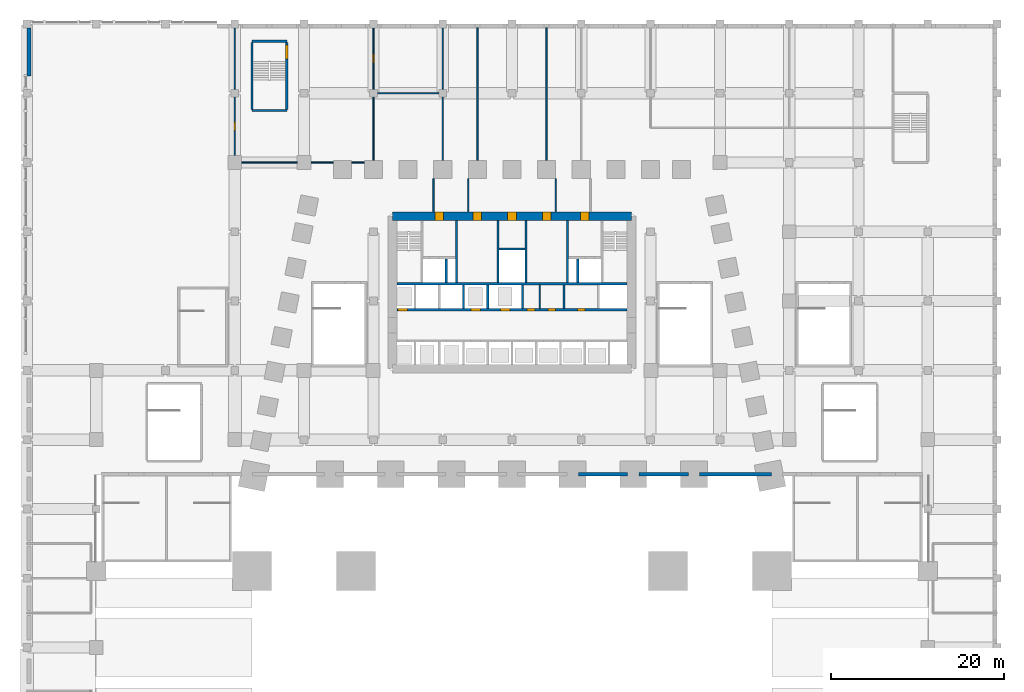
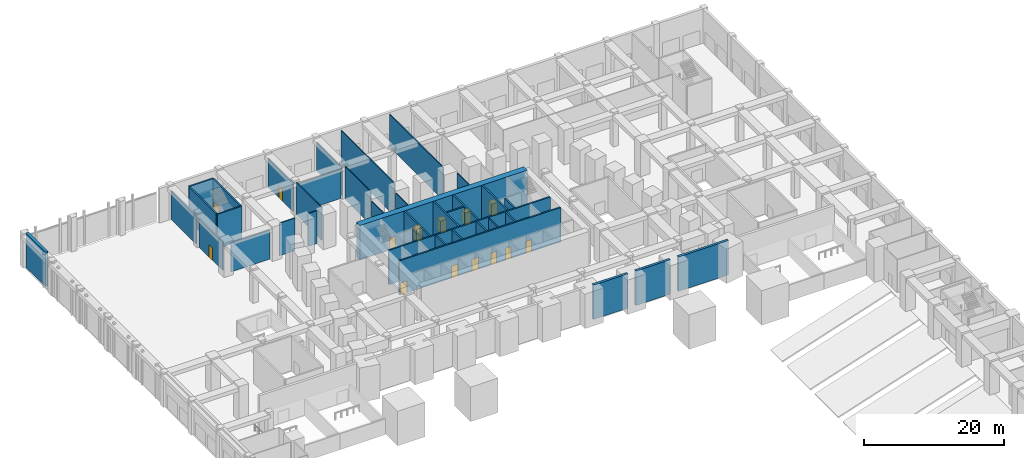
# One storey, part 13 of 28: 38 walls, 14 doors, 14 openings.
"""IFC4 building model written with IfcOpenShell, lengths in metres."""

from ifc_helpers import new_model, si_unit, direction, frame, frame_2d, origin, place, context, subcontext, project, spatial, rectangle, extrude, material, layer, layer_set, type_object, element, fill, save


model = new_model("IFC4")

# Units and contexts
model_context = context("Model", 3, precision=1e-05, world=origin(), true_north=direction((0.0, 1.0)))
body_context = subcontext(model_context, "Body", "Model", "MODEL_VIEW")
ifc_project = project(units=[si_unit("LENGTHUNIT", "METRE"), si_unit("AREAUNIT", "SQUARE_METRE"), si_unit("VOLUMEUNIT", "CUBIC_METRE"), si_unit("PLANEANGLEUNIT", "RADIAN"), si_unit("MASSUNIT", "GRAM", prefix="KILO")], contexts=[model_context])

# Site, building, storey
site_placement = place(None, origin())
site = spatial("IfcSite", under=ifc_project, at=site_placement, CompositionType="ELEMENT")
building_placement = place(site_placement, origin())
building = spatial("IfcBuilding", under=site, at=building_placement, Name="Isbrekke Arena Tower", CompositionType="ELEMENT")
storey_placement = place(building_placement, origin())
storey = spatial("IfcBuildingStorey", under=building, at=storey_placement, Name="L00", CompositionType="ELEMENT", Elevation=0.0)

# Walls
ifc_material_1 = material(Name="Concrete B45 (C45/55)", Category="concrete")
ifc_layer_1 = layer(ifc_material_1, 0.39990234375)
ifc_layer_set_1 = layer_set([ifc_layer_1], Name="AW1 ARENA WALL 400")
wall_type_1 = type_object("IfcWallType", Name="AW1 ARENA WALL 400", PredefinedType="SHEAR", material=ifc_layer_set_1)
for number, where, z_axis, x_axis, name in (
    (1, (7.64990234375, -6.0, 0.0), (0.0, 0.0, 1.0), (1.0, 0.0, 0.0), "Arena north wall 7"),
    (2, (14.64990234375, -6.0, 0.0), (0.0, 0.0, 1.0), (1.0, 0.0, 0.0), "Arena north wall 8"),
):
    element("IfcWall", number, at=place(storey_placement, frame(where, z_axis=z_axis, x_axis=x_axis)), inside=storey, type_object=wall_type_1, Name=name, PredefinedType="SHEAR", context=body_context, shape_type="SweptSolid", body=[
        extrude(rectangle(XDim=5.7001953125, YDim=0.39990234375, at=frame_2d((2.85009765625, 0.0))), origin(), (0.0, 0.0, 1.0), 6.0),
    ])
wall_1_placement = place(storey_placement, frame((21.64990234375, -6.0, 0.0), z_axis=(0.0, 0.0, 1.0), x_axis=(1.0, 0.0, 0.0)))
element("IfcWall", 3, at=wall_1_placement, inside=storey, type_object=wall_type_1, Name="Arena north wall 9", PredefinedType="SHEAR", context=body_context, shape_type="SweptSolid", body=[
    extrude(rectangle(XDim=8.300048828125, YDim=0.39990234375, at=frame_2d((4.14990234375, 0.0))), origin(), (0.0, 0.0, 1.0), 6.0),
])

# Wall, openings, doors
ifc_material_2 = material(Name="Concrete B65 (C65/80)", Category="concrete")
ifc_layer_2 = layer(ifc_material_2, 1.0)
ifc_layer_set_2 = layer_set([ifc_layer_2], Name="CW1 CORE WALL 1000")
wall_type_2 = type_object("IfcWallType", Name="CW1 CORE WALL 1000", PredefinedType="SHEAR", material=ifc_layer_set_2)
wall_2_placement = place(storey_placement, frame((13.800048828125, 23.800048828125, 0.0), z_axis=(0.0, 0.0, 1.0), x_axis=(-1.0, 0.0, 0.0)))
wall_2 = element("IfcWall", 4, at=wall_2_placement, inside=storey, type_object=wall_type_2, Name="Core wall N L00", PredefinedType="SHEAR", context=body_context, shape_type="SweptSolid", body=[
    extrude(rectangle(XDim=27.60009765625, YDim=1.0, at=frame_2d((13.800048828125, 0.0))), origin(), (0.0, 0.0, 1.0), 6.0),
])
opening_1_placement = place(wall_2_placement, frame((21.699951171875, 0.0, 0.0)))
opening_1 = element("IfcOpeningElement", 5, at=opening_1_placement, cuts=wall_2, Name="Opening D3", PredefinedType="OPENING", context=body_context, shape_type="SweptSolid", body=[
    extrude(rectangle(XDim=1.0, YDim=2.10009765625, at=frame_2d((0.5, 1.050048828125))), frame((0.0, 0.514892578125, 0.0), z_axis=(0.0, -1.0, 0.0), x_axis=(1.0, 0.0, 0.0)), (0.0, 0.0, 1.0), 1.02978515625),
])
opening_2_placement = place(wall_2_placement, frame((4.89990234375, 0.0, 0.0)))
opening_2 = element("IfcOpeningElement", 6, at=opening_2_placement, cuts=wall_2, Name="Opening D3", PredefinedType="OPENING", context=body_context, shape_type="SweptSolid", body=[
    extrude(rectangle(XDim=1.0, YDim=2.10009765625, at=frame_2d((0.5, 1.050048828125))), frame((0.0, 0.514892578125, 0.0), z_axis=(0.0, -1.0, 0.0), x_axis=(1.0, 0.0, 0.0)), (0.0, 0.0, 1.0), 1.02978515625),
])
opening_3_placement = place(wall_2_placement, frame((17.300048828125, 0.0, 0.0)))
opening_3 = element("IfcOpeningElement", 7, at=opening_3_placement, cuts=wall_2, Name="Opening D4", PredefinedType="OPENING", context=body_context, shape_type="SweptSolid", body=[
    extrude(rectangle(XDim=1.0, YDim=2.10009765625, at=frame_2d((0.5, 1.050048828125))), frame((0.0, 0.514892578125, 0.0), z_axis=(0.0, -1.0, 0.0), x_axis=(1.0, 0.0, 0.0)), (0.0, 0.0, 1.0), 1.02978515625),
])
opening_4_placement = place(wall_2_placement, frame((13.300048828125, 0.0, 0.0)))
opening_4 = element("IfcOpeningElement", 8, at=opening_4_placement, cuts=wall_2, Name="Opening D4", PredefinedType="OPENING", context=body_context, shape_type="SweptSolid", body=[
    extrude(rectangle(XDim=1.0, YDim=2.10009765625, at=frame_2d((0.5, 1.050048828125))), frame((0.0, 0.514892578125, 0.0), z_axis=(0.0, -1.0, 0.0), x_axis=(1.0, 0.0, 0.0)), (0.0, 0.0, 1.0), 1.02978515625),
])
opening_5_placement = place(wall_2_placement, frame((9.300048828125, 0.0, 0.0)))
opening_5 = element("IfcOpeningElement", 9, at=opening_5_placement, cuts=wall_2, Name="Opening D4", PredefinedType="OPENING", context=body_context, shape_type="SweptSolid", body=[
    extrude(rectangle(XDim=1.0, YDim=2.10009765625, at=frame_2d((0.5, 1.050048828125))), frame((0.0, 0.514892578125, 0.0), z_axis=(0.0, -1.0, 0.0), x_axis=(1.0, 0.0, 0.0)), (0.0, 0.0, 1.0), 1.02978515625),
])
ifc_material_3 = material(Name="Steel fire door", Category="steel")
door_type_1 = type_object("IfcDoorType", Name="D3 FIRE LOBBY DOOR 1000 x 2100", OperationType="SINGLE_SWING_RIGHT", PredefinedType="DOOR", material=ifc_material_3)
door_1_placement = place(opening_1_placement, origin())
door_1 = element("IfcDoor", 10, at=door_1_placement, inside=storey, type_object=door_type_1, Name="D3 fire-fighting lobby door L00", OperationType="SINGLE_SWING_RIGHT", OverallHeight=2.10009765625, OverallWidth=1.0, PredefinedType="DOOR", context=body_context, shape_type="SweptSolid", body=[
    extrude(rectangle(XDim=1.0, YDim=2.10009765625, at=frame_2d((0.5, 1.050048828125))), frame((0.0, 0.499755859375, 0.0), z_axis=(0.0, -1.0, 0.0), x_axis=(1.0, 0.0, 0.0)), (0.0, 0.0, 1.0), 0.99951171875),
])
fill(opening_1, door_1)
door_2_placement = place(opening_2_placement, origin())
door_2 = element("IfcDoor", 11, at=door_2_placement, inside=storey, type_object=door_type_1, Name="D3 fire-fighting lobby door L00", OperationType="SINGLE_SWING_RIGHT", OverallHeight=2.10009765625, OverallWidth=1.0, PredefinedType="DOOR", context=body_context, shape_type="SweptSolid", body=[
    extrude(rectangle(XDim=1.0, YDim=2.10009765625, at=frame_2d((0.5, 1.050048828125))), frame((0.0, 0.499755859375, 0.0), z_axis=(0.0, -1.0, 0.0), x_axis=(1.0, 0.0, 0.0)), (0.0, 0.0, 1.0), 0.99951171875),
])
fill(opening_2, door_2)
ifc_material_4 = material(Name="Timber door", Category="wood")
door_type_2 = type_object("IfcDoorType", Name="D4 WC DOOR 1000 x 2100", OperationType="SINGLE_SWING_LEFT", PredefinedType="DOOR", material=ifc_material_4)
door_3_placement = place(opening_3_placement, origin())
door_3 = element("IfcDoor", 12, at=door_3_placement, inside=storey, type_object=door_type_2, Name="D4 wc female door L00", OperationType="SINGLE_SWING_LEFT", OverallHeight=2.10009765625, OverallWidth=1.0, PredefinedType="DOOR", context=body_context, shape_type="SweptSolid", body=[
    extrude(rectangle(XDim=1.0, YDim=2.10009765625, at=frame_2d((0.5, 1.050048828125))), frame((0.0, 0.499755859375, 0.0), z_axis=(0.0, -1.0, 0.0), x_axis=(1.0, 0.0, 0.0)), (0.0, 0.0, 1.0), 0.99951171875),
])
fill(opening_3, door_3)
door_4_placement = place(opening_4_placement, origin())
door_4 = element("IfcDoor", 13, at=door_4_placement, inside=storey, type_object=door_type_2, Name="D4 accessible wc door L00", OperationType="SINGLE_SWING_LEFT", OverallHeight=2.10009765625, OverallWidth=1.0, PredefinedType="DOOR", context=body_context, shape_type="SweptSolid", body=[
    extrude(rectangle(XDim=1.0, YDim=2.10009765625, at=frame_2d((0.5, 1.050048828125))), frame((0.0, 0.499755859375, 0.0), z_axis=(0.0, -1.0, 0.0), x_axis=(1.0, 0.0, 0.0)), (0.0, 0.0, 1.0), 0.99951171875),
])
fill(opening_4, door_4)
door_5_placement = place(opening_5_placement, origin())
door_5 = element("IfcDoor", 14, at=door_5_placement, inside=storey, type_object=door_type_2, Name="D4 wc male door L00", OperationType="SINGLE_SWING_LEFT", OverallHeight=2.10009765625, OverallWidth=1.0, PredefinedType="DOOR", context=body_context, shape_type="SweptSolid", body=[
    extrude(rectangle(XDim=1.0, YDim=2.10009765625, at=frame_2d((0.5, 1.050048828125))), frame((0.0, 0.499755859375, 0.0), z_axis=(0.0, -1.0, 0.0), x_axis=(1.0, 0.0, 0.0)), (0.0, 0.0, 1.0), 0.99951171875),
])
fill(opening_5, door_5)

ifc_material_5 = material(Name="Concrete B45 (C45/55)", Category="concrete")
ifc_layer_3 = layer(ifc_material_5, 0.25)
ifc_layer_set_3 = layer_set([ifc_layer_3], Name="CW6 SHAFT WALL 250")
wall_type_3 = type_object("IfcWallType", Name="CW6 SHAFT WALL 250", PredefinedType="SHEAR", material=ifc_layer_set_3)
wall_3_placement = place(storey_placement, frame((-13.300048828125, 13.0, 0.0), z_axis=(0.0, 0.0, 1.0), x_axis=(1.0, 0.0, 0.0)))
wall_3 = element("IfcWall", 15, at=wall_3_placement, inside=storey, type_object=wall_type_3, Name="Core wall LN L00", PredefinedType="SHEAR", context=body_context, shape_type="SweptSolid", body=[
    extrude(rectangle(XDim=26.60009765625, YDim=0.25, at=frame_2d((13.300048828125, 0.0))), origin(), (0.0, 0.0, 1.0), 6.0),
])
opening_6_placement = place(wall_3_placement, frame((0.14990234375, 0.0, 0.0)))
opening_6 = element("IfcOpeningElement", 16, at=opening_6_placement, cuts=wall_3, Name="Opening LD1", PredefinedType="OPENING", context=body_context, shape_type="SweptSolid", body=[
    extrude(rectangle(XDim=1.10009765625, YDim=2.10009765625, at=frame_2d((0.550048828125, 1.050048828125))), frame((0.0, 0.139892578125, 0.0), z_axis=(0.0, -1.0, 0.0), x_axis=(1.0, 0.0, 0.0)), (0.0, 0.0, 1.0), 0.27978515625),
])
opening_7_placement = place(wall_3_placement, frame((8.550048828125, 0.0, 0.0)))
opening_7 = element("IfcOpeningElement", 17, at=opening_7_placement, cuts=wall_3, Name="Opening LD1", PredefinedType="OPENING", context=body_context, shape_type="SweptSolid", body=[
    extrude(rectangle(XDim=1.10009765625, YDim=2.10009765625, at=frame_2d((0.550048828125, 1.050048828125))), frame((0.0, 0.139892578125, 0.0), z_axis=(0.0, -1.0, 0.0), x_axis=(1.0, 0.0, 0.0)), (0.0, 0.0, 1.0), 0.27978515625),
])
opening_8_placement = place(wall_3_placement, frame((11.949951171875, 0.0, 0.0)))
opening_8 = element("IfcOpeningElement", 18, at=opening_8_placement, cuts=wall_3, Name="Opening LD1", PredefinedType="OPENING", context=body_context, shape_type="SweptSolid", body=[
    extrude(rectangle(XDim=1.10009765625, YDim=2.10009765625, at=frame_2d((0.550048828125, 1.050048828125))), frame((0.0, 0.139892578125, 0.0), z_axis=(0.0, -1.0, 0.0), x_axis=(1.0, 0.0, 0.0)), (0.0, 0.0, 1.0), 0.27978515625),
])
opening_9_placement = place(wall_3_placement, frame((15.050048828125, 0.0, 0.0)))
opening_9 = element("IfcOpeningElement", 19, at=opening_9_placement, cuts=wall_3, Name="Opening D5", PredefinedType="OPENING", context=body_context, shape_type="SweptSolid", body=[
    extrude(rectangle(XDim=0.89990234375, YDim=2.10009765625, at=frame_2d((0.449951171875, 1.050048828125))), frame((0.0, 0.139892578125, 0.0), z_axis=(0.0, -1.0, 0.0), x_axis=(1.0, 0.0, 0.0)), (0.0, 0.0, 1.0), 0.27978515625),
])
opening_10_placement = place(wall_3_placement, frame((17.449951171875, 0.0, 0.0)))
opening_10 = element("IfcOpeningElement", 20, at=opening_10_placement, cuts=wall_3, Name="Opening D5", PredefinedType="OPENING", context=body_context, shape_type="SweptSolid", body=[
    extrude(rectangle(XDim=0.89990234375, YDim=2.10009765625, at=frame_2d((0.449951171875, 1.050048828125))), frame((0.0, 0.139892578125, 0.0), z_axis=(0.0, -1.0, 0.0), x_axis=(1.0, 0.0, 0.0)), (0.0, 0.0, 1.0), 0.27978515625),
])
opening_11_placement = place(wall_3_placement, frame((20.85009765625, 0.0, 0.0)))
opening_11 = element("IfcOpeningElement", 21, at=opening_11_placement, cuts=wall_3, Name="Opening D5", PredefinedType="OPENING", context=body_context, shape_type="SweptSolid", body=[
    extrude(rectangle(XDim=0.89990234375, YDim=2.10009765625, at=frame_2d((0.449951171875, 1.050048828125))), frame((0.0, 0.139892578125, 0.0), z_axis=(0.0, -1.0, 0.0), x_axis=(1.0, 0.0, 0.0)), (0.0, 0.0, 1.0), 0.27978515625),
])
ifc_material_6 = material(Name="Steel fire door", Category="steel")
door_type_3 = type_object("IfcDoorType", Name="D5 SERVICE DOOR 900 x 2100", OperationType="SINGLE_SWING_LEFT", PredefinedType="DOOR", material=ifc_material_6)
door_6_placement = place(opening_9_placement, origin())
door_6 = element("IfcDoor", 22, at=door_6_placement, inside=storey, type_object=door_type_3, Name="D5 cleaner's store door L00", OperationType="SINGLE_SWING_LEFT", OverallHeight=2.10009765625, OverallWidth=0.89990234375, PredefinedType="DOOR", context=body_context, shape_type="SweptSolid", body=[
    extrude(rectangle(XDim=0.89990234375, YDim=2.10009765625, at=frame_2d((0.449951171875, 1.050048828125))), frame((0.0, 0.124755859375, 0.0), z_axis=(0.0, -1.0, 0.0), x_axis=(1.0, 0.0, 0.0)), (0.0, 0.0, 1.0), 0.24951171875),
])
fill(opening_9, door_6)
door_7_placement = place(opening_10_placement, origin())
door_7 = element("IfcDoor", 23, at=door_7_placement, inside=storey, type_object=door_type_3, Name="D5 store door L00", OperationType="SINGLE_SWING_LEFT", OverallHeight=2.10009765625, OverallWidth=0.89990234375, PredefinedType="DOOR", context=body_context, shape_type="SweptSolid", body=[
    extrude(rectangle(XDim=0.89990234375, YDim=2.10009765625, at=frame_2d((0.449951171875, 1.050048828125))), frame((0.0, 0.124755859375, 0.0), z_axis=(0.0, -1.0, 0.0), x_axis=(1.0, 0.0, 0.0)), (0.0, 0.0, 1.0), 0.24951171875),
])
fill(opening_10, door_7)
door_8_placement = place(opening_11_placement, origin())
door_8 = element("IfcDoor", 24, at=door_8_placement, inside=storey, type_object=door_type_3, Name="D5 communications room door L00", OperationType="SINGLE_SWING_LEFT", OverallHeight=2.10009765625, OverallWidth=0.89990234375, PredefinedType="DOOR", context=body_context, shape_type="SweptSolid", body=[
    extrude(rectangle(XDim=0.89990234375, YDim=2.10009765625, at=frame_2d((0.449951171875, 1.050048828125))), frame((0.0, 0.124755859375, 0.0), z_axis=(0.0, -1.0, 0.0), x_axis=(1.0, 0.0, 0.0)), (0.0, 0.0, 1.0), 0.24951171875),
])
fill(opening_11, door_8)
ifc_material_7 = material(Name="Stainless steel lift landing door", Category="steel")
door_type_4 = type_object("IfcDoorType", Name="LD1 LIFT LANDING DOOR 1100 x 2100", OperationType="SLIDING_TO_LEFT", PredefinedType="DOOR", material=ifc_material_7)
door_9_placement = place(opening_6_placement, origin())
door_9 = element("IfcDoor", 25, at=door_9_placement, inside=storey, type_object=door_type_4, Name="LD1 lift landing door LA L00", OperationType="SLIDING_TO_LEFT", OverallHeight=2.10009765625, OverallWidth=1.10009765625, PredefinedType="DOOR", context=body_context, shape_type="SweptSolid", body=[
    extrude(rectangle(XDim=1.10009765625, YDim=2.10009765625, at=frame_2d((0.550048828125, 1.050048828125))), frame((0.0, 0.124755859375, 0.0), z_axis=(0.0, -1.0, 0.0), x_axis=(1.0, 0.0, 0.0)), (0.0, 0.0, 1.0), 0.24951171875),
])
fill(opening_6, door_9)
door_10_placement = place(opening_7_placement, origin())
door_10 = element("IfcDoor", 26, at=door_10_placement, inside=storey, type_object=door_type_4, Name="LD1 lift landing door LA L00", OperationType="SLIDING_TO_LEFT", OverallHeight=2.10009765625, OverallWidth=1.10009765625, PredefinedType="DOOR", context=body_context, shape_type="SweptSolid", body=[
    extrude(rectangle(XDim=1.10009765625, YDim=2.10009765625, at=frame_2d((0.550048828125, 1.050048828125))), frame((0.0, 0.124755859375, 0.0), z_axis=(0.0, -1.0, 0.0), x_axis=(1.0, 0.0, 0.0)), (0.0, 0.0, 1.0), 0.24951171875),
])
fill(opening_7, door_10)
door_11_placement = place(opening_8_placement, origin())
door_11 = element("IfcDoor", 27, at=door_11_placement, inside=storey, type_object=door_type_4, Name="LD1 lift landing door LA L00", OperationType="SLIDING_TO_LEFT", OverallHeight=2.10009765625, OverallWidth=1.10009765625, PredefinedType="DOOR", context=body_context, shape_type="SweptSolid", body=[
    extrude(rectangle(XDim=1.10009765625, YDim=2.10009765625, at=frame_2d((0.550048828125, 1.050048828125))), frame((0.0, 0.124755859375, 0.0), z_axis=(0.0, -1.0, 0.0), x_axis=(1.0, 0.0, 0.0)), (0.0, 0.0, 1.0), 0.24951171875),
])
fill(opening_8, door_11)

# Walls
wall_4_placement = place(storey_placement, frame((-13.300048828125, 16.0, 0.0), z_axis=(0.0, 0.0, 1.0), x_axis=(1.0, 0.0, 0.0)))
element("IfcWall", 28, at=wall_4_placement, inside=storey, type_object=wall_type_3, Name="Core wall NB L00", PredefinedType="SHEAR", context=body_context, shape_type="SweptSolid", body=[
    extrude(rectangle(XDim=26.60009765625, YDim=0.25, at=frame_2d((13.300048828125, 0.0))), origin(), (0.0, 0.0, 1.0), 6.0),
])
for number, where, z_axis, x_axis, name in (
    (29, (-5.60009765625, 13.125, 0.0), (0.0, 0.0, 1.0), (0.0, 1.0, 0.0), "Core wall SN03 L00"),
    (30, (-2.800048828125, 13.125, 0.0), (0.0, 0.0, 1.0), (0.0, 1.0, 0.0), "Core wall SN04 L00"),
    (31, (1.199951171875, 13.125, 0.0), (0.0, 0.0, 1.0), (0.0, 1.0, 0.0), "Core wall SN05 L00"),
    (32, (6.0, 13.125, 0.0), (0.0, 0.0, 1.0), (0.0, 1.0, 0.0), "Core wall SN06 L00"),
):
    element("IfcWall", number, at=place(storey_placement, frame(where, z_axis=z_axis, x_axis=x_axis)), inside=storey, type_object=wall_type_3, Name=name, PredefinedType="SHEAR", context=body_context, shape_type="SweptSolid", body=[
        extrude(rectangle(XDim=2.75, YDim=0.25, at=frame_2d((1.375, 0.0))), origin(), (0.0, 0.0, 1.0), 6.0),
    ])
for number, where, z_axis, x_axis, name in (
    (33, (-6.39990234375, 16.125, 0.0), (0.0, 0.0, 1.0), (0.0, 1.0, 0.0), "Core wall NV02 L00"),
    (34, (-1.60009765625, 16.125, 0.0), (0.0, 0.0, 1.0), (0.0, 1.0, 0.0), "Core wall NV03 L00"),
    (35, (1.60009765625, 16.125, 0.0), (0.0, 0.0, 1.0), (0.0, 1.0, 0.0), "Core wall NV04 L00"),
    (36, (6.39990234375, 16.125, 0.0), (0.0, 0.0, 1.0), (0.0, 1.0, 0.0), "Core wall NV05 L00"),
):
    element("IfcWall", number, at=place(storey_placement, frame(where, z_axis=z_axis, x_axis=x_axis)), inside=storey, type_object=wall_type_3, Name=name, PredefinedType="SHEAR", context=body_context, shape_type="SweptSolid", body=[
        extrude(rectangle(XDim=7.175048828125, YDim=0.25, at=frame_2d((3.58740234375, 0.0))), origin(), (0.0, 0.0, 1.0), 6.0),
    ])
for number, where, z_axis, x_axis, name in (
    (37, (-7.60009765625, 16.125, 0.0), (0.0, 0.0, 1.0), (0.0, 1.0, 0.0), "Core wall NFS1 L00"),
    (38, (7.60009765625, 16.125, 0.0), (0.0, 0.0, 1.0), (0.0, 1.0, 0.0), "Core wall NFS2 L00"),
):
    element("IfcWall", number, at=place(storey_placement, frame(where, z_axis=z_axis, x_axis=x_axis)), inside=storey, type_object=wall_type_3, Name=name, PredefinedType="SHEAR", context=body_context, shape_type="SweptSolid", body=[
        extrude(rectangle(XDim=2.75, YDim=0.25, at=frame_2d((1.375, 0.0))), origin(), (0.0, 0.0, 1.0), 6.0),
    ])
wall_5_placement = place(storey_placement, frame((-1.47509765625, 20.0, 0.0), z_axis=(0.0, 0.0, 1.0), x_axis=(1.0, 0.0, 0.0)))
element("IfcWall", 39, at=wall_5_placement, inside=storey, type_object=wall_type_3, Name="Core wall NWC L00", PredefinedType="SHEAR", context=body_context, shape_type="SweptSolid", body=[
    extrude(rectangle(XDim=2.9501953125, YDim=0.25, at=frame_2d((1.47509765625, 0.0))), origin(), (0.0, 0.0, 1.0), 6.0),
])
ifc_material_8 = material(Name="Pale brick facing on concrete backing wall", Category="masonry")
ifc_layer_4 = layer(ifc_material_8, 0.449951171875)
ifc_layer_set_4 = layer_set([ifc_layer_4], Name="EW1 PODIUM BRICK WALL 450")
wall_type_4 = type_object("IfcWallType", Name="EW1 PODIUM BRICK WALL 450", PredefinedType="SOLIDWALL", material=ifc_layer_set_4)
wall_6_placement = place(storey_placement, frame((-55.77490234375, 45.550048828125, 0.0), z_axis=(0.0, 0.0, 1.0), x_axis=(0.0, -1.0, 0.0)))
element("IfcWall", 40, at=wall_6_placement, inside=storey, type_object=wall_type_4, Name="EW1 podium wall W2 L00", PredefinedType="SOLIDWALL", context=body_context, shape_type="SweptSolid", body=[
    extrude(rectangle(XDim=5.550048828125, YDim=0.449951171875, at=frame_2d((2.77490234375, 0.0))), origin(), (0.0, 0.0, 1.0), 6.0),
])

# Wall, opening, door
ifc_material_9 = material(Name="Gypsum board partition on steel studs", Category="steel")
ifc_layer_5 = layer(ifc_material_9, 0.14990234375)
ifc_layer_set_5 = layer_set([ifc_layer_5], Name="IW1 PARTITION 150")
wall_type_5 = type_object("IfcWallType", Name="IW1 PARTITION 150", PredefinedType="PARTITIONING", material=ifc_layer_set_5)
wall_7_placement = place(storey_placement, frame((-32.0, 30.81005859375, 0.0), z_axis=(0.0, 0.0, 1.0), x_axis=(0.0, 1.0, 0.0)))
wall_7 = element("IfcWall", 41, at=wall_7_placement, inside=storey, type_object=wall_type_5, Name="IW1 partition L00", PredefinedType="PARTITIONING", context=body_context, shape_type="SweptSolid", body=[
    extrude(rectangle(XDim=6.72998046875, YDim=0.14990234375, at=frame_2d((3.364990234375, 0.0))), origin(), (0.0, 0.0, 1.0), 5.050048828125),
])
opening_12_placement = place(wall_7_placement, frame((2.864990234375, 0.0, 0.0)))
opening_12 = element("IfcOpeningElement", 42, at=opening_12_placement, cuts=wall_7, Name="Opening D6", PredefinedType="OPENING", context=body_context, shape_type="SweptSolid", body=[
    extrude(rectangle(XDim=1.0, YDim=2.10009765625, at=frame_2d((0.5, 1.050048828125))), frame((0.0, 0.08984375, 0.0), z_axis=(0.0, -1.0, 0.0), x_axis=(1.0, 0.0, 0.0)), (0.0, 0.0, 1.0), 0.1796875),
])
ifc_material_10 = material(Name="Timber door", Category="wood")
door_type_5 = type_object("IfcDoorType", Name="D6 ROOM DOOR 1000 x 2100", OperationType="SINGLE_SWING_LEFT", PredefinedType="DOOR", material=ifc_material_10)
door_12_placement = place(opening_12_placement, origin())
door_12 = element("IfcDoor", 43, at=door_12_placement, inside=storey, type_object=door_type_5, Name="D6 door L00-05", OperationType="SINGLE_SWING_LEFT", OverallHeight=2.10009765625, OverallWidth=1.0, PredefinedType="DOOR", context=body_context, shape_type="SweptSolid", body=[
    extrude(rectangle(XDim=1.0, YDim=2.10009765625, at=frame_2d((0.5, 1.050048828125))), frame((0.0, 0.07470703125, 0.0), z_axis=(0.0, -1.0, 0.0), x_axis=(1.0, 0.0, 0.0)), (0.0, 0.0, 1.0), 0.1494140625),
])
fill(opening_12, door_12)

# Walls
wall_8_placement = place(storey_placement, frame((-32.0, 38.4599609375, 0.0), z_axis=(0.0, 0.0, 1.0), x_axis=(0.0, 1.0, 0.0)))
element("IfcWall", 44, at=wall_8_placement, inside=storey, type_object=wall_type_5, Name="IW1 partition L00", PredefinedType="PARTITIONING", context=body_context, shape_type="SweptSolid", body=[
    extrude(rectangle(XDim=7.080078125, YDim=0.14990234375, at=frame_2d((3.5400390625, 0.0))), origin(), (0.0, 0.0, 1.0), 5.050048828125),
])
wall_9_placement = place(storey_placement, frame((-16.0, 30.235107421875, 0.0), z_axis=(0.0, 0.0, 1.0), x_axis=(0.0, 1.0, 0.0)))
element("IfcWall", 45, at=wall_9_placement, inside=storey, type_object=wall_type_5, Name="IW1 partition L00", PredefinedType="PARTITIONING", context=body_context, shape_type="SweptSolid", body=[
    extrude(rectangle(XDim=7.304931640625, YDim=0.14990234375, at=frame_2d((3.65234375, 0.0))), origin(), (0.0, 0.0, 1.0), 5.699951171875),
])

# Wall, opening, door
wall_10_placement = place(storey_placement, frame((-16.0, 38.4599609375, 0.0), z_axis=(0.0, 0.0, 1.0), x_axis=(0.0, 1.0, 0.0)))
wall_10 = element("IfcWall", 46, at=wall_10_placement, inside=storey, type_object=wall_type_5, Name="IW1 partition L00", PredefinedType="PARTITIONING", context=body_context, shape_type="SweptSolid", body=[
    extrude(rectangle(XDim=7.080078125, YDim=0.14990234375, at=frame_2d((3.5400390625, 0.0))), origin(), (0.0, 0.0, 1.0), 5.050048828125),
])
opening_13_placement = place(wall_10_placement, frame((3.0400390625, 0.0, 0.0)))
opening_13 = element("IfcOpeningElement", 47, at=opening_13_placement, cuts=wall_10, Name="Opening D6", PredefinedType="OPENING", context=body_context, shape_type="SweptSolid", body=[
    extrude(rectangle(XDim=1.0, YDim=2.10009765625, at=frame_2d((0.5, 1.050048828125))), frame((0.0, 0.08984375, 0.0), z_axis=(0.0, -1.0, 0.0), x_axis=(1.0, 0.0, 0.0)), (0.0, 0.0, 1.0), 0.1796875),
])
door_13_placement = place(opening_13_placement, origin())
door_13 = element("IfcDoor", 48, at=door_13_placement, inside=storey, type_object=door_type_5, Name="D6 door L00-06", OperationType="SINGLE_SWING_LEFT", OverallHeight=2.10009765625, OverallWidth=1.0, PredefinedType="DOOR", context=body_context, shape_type="SweptSolid", body=[
    extrude(rectangle(XDim=1.0, YDim=2.10009765625, at=frame_2d((0.5, 1.050048828125))), frame((0.0, 0.07470703125, 0.0), z_axis=(0.0, -1.0, 0.0), x_axis=(1.0, 0.0, 0.0)), (0.0, 0.0, 1.0), 0.1494140625),
])
fill(opening_13, door_13)

# Walls
wall_11_placement = place(storey_placement, frame((-31.18994140625, 30.0, 0.0), z_axis=(0.0, 0.0, 1.0), x_axis=(1.0, 0.0, 0.0)))
element("IfcWall", 49, at=wall_11_placement, inside=storey, type_object=wall_type_5, Name="IW1 partition L00", PredefinedType="PARTITIONING", context=body_context, shape_type="SweptSolid", body=[
    extrude(rectangle(XDim=6.3798828125, YDim=0.14990234375, at=frame_2d((3.18994140625, 0.0))), origin(), (0.0, 0.0, 1.0), 5.050048828125),
])
wall_12_placement = place(storey_placement, frame((-23.18994140625, 30.0, 0.0), z_axis=(0.0, 0.0, 1.0), x_axis=(1.0, 0.0, 0.0)))
element("IfcWall", 50, at=wall_12_placement, inside=storey, type_object=wall_type_5, Name="IW1 partition L00", PredefinedType="PARTITIONING", context=body_context, shape_type="SweptSolid", body=[
    extrude(rectangle(XDim=2.554931640625, YDim=0.14990234375, at=frame_2d((1.27734375, 0.0))), origin(), (0.0, 0.0, 1.0), 5.699951171875),
])
wall_13_placement = place(storey_placement, frame((-18.514892578125, 30.0, 0.0), z_axis=(0.0, 0.0, 1.0), x_axis=(1.0, 0.0, 0.0)))
element("IfcWall", 51, at=wall_13_placement, inside=storey, type_object=wall_type_5, Name="IW1 partition L00", PredefinedType="PARTITIONING", context=body_context, shape_type="SweptSolid", body=[
    extrude(rectangle(XDim=1.454833984375, YDim=0.14990234375, at=frame_2d((0.7275390625, 0.0))), origin(), (0.0, 0.0, 1.0), 5.699951171875),
])
wall_14_placement = place(storey_placement, frame((-15.5400390625, 38.0, 0.0), z_axis=(0.0, 0.0, 1.0), x_axis=(1.0, 0.0, 0.0)))
element("IfcWall", 52, at=wall_14_placement, inside=storey, type_object=wall_type_5, Name="IW1 partition L00", PredefinedType="PARTITIONING", context=body_context, shape_type="SweptSolid", body=[
    extrude(rectangle(XDim=7.080078125, YDim=0.14990234375, at=frame_2d((3.5400390625, 0.0))), origin(), (0.0, 0.0, 1.0), 5.050048828125),
])
ifc_material_11 = material(Name="Gypsum board fire-rated partition on steel studs, two layers each side", Category="steel")
ifc_layer_6 = layer(ifc_material_11, 0.14990234375)
ifc_layer_set_6 = layer_set([ifc_layer_6], Name="IW5 FIRE-RATED PARTITION 150")
wall_type_6 = type_object("IfcWallType", Name="IW5 FIRE-RATED PARTITION 150", PredefinedType="PARTITIONING", material=ifc_layer_set_6)
wall_15_placement = place(storey_placement, frame((3.199951171875, 13.125, 0.0), z_axis=(0.0, 0.0, 1.0), x_axis=(0.0, 1.0, 0.0)))
element("IfcWall", 53, at=wall_15_placement, inside=storey, type_object=wall_type_6, Name="IW5 fire-rated partition L00 core service rooms 1", PredefinedType="PARTITIONING", context=body_context, shape_type="SweptSolid", body=[
    extrude(rectangle(XDim=2.75, YDim=0.14990234375, at=frame_2d((1.375, 0.0))), origin(), (0.0, 0.0, 1.0), 5.85009765625),
])
for number, where, z_axis, x_axis, name in (
    (54, (-9.050048828125, 24.300048828125, 0.0), (0.0, 0.0, 1.0), (0.0, 1.0, 0.0), "IW5 fire-rated partition L00 exit passage ST1"),
    (55, (-5.050048828125, 24.300048828125, 0.0), (0.0, 0.0, 1.0), (0.0, 1.0, 0.0), "IW5 fire-rated partition L00 exit passage ST1"),
):
    element("IfcWall", number, at=place(storey_placement, frame(where, z_axis=z_axis, x_axis=x_axis)), inside=storey, type_object=wall_type_6, Name=name, PredefinedType="PARTITIONING", context=body_context, shape_type="SweptSolid", body=[
        extrude(rectangle(XDim=3.81494140625, YDim=0.14990234375, at=frame_2d((1.907470703125, 0.0))), origin(), (0.0, 0.0, 1.0), 5.699951171875),
    ])
wall_16_placement = place(storey_placement, frame((-8.0, 30.235107421875, 0.0), z_axis=(0.0, 0.0, 1.0), x_axis=(0.0, 1.0, 0.0)))
element("IfcWall", 56, at=wall_16_placement, inside=storey, type_object=wall_type_6, Name="IW5 fire-rated partition L00 exit passage ST1", PredefinedType="PARTITIONING", context=body_context, shape_type="SweptSolid", body=[
    extrude(rectangle(XDim=7.304931640625, YDim=0.14990234375, at=frame_2d((3.65234375, 0.0))), origin(), (0.0, 0.0, 1.0), 5.699951171875),
])
wall_17_placement = place(storey_placement, frame((-8.0, 38.4599609375, 0.0), z_axis=(0.0, 0.0, 1.0), x_axis=(0.0, 1.0, 0.0)))
element("IfcWall", 57, at=wall_17_placement, inside=storey, type_object=wall_type_6, Name="IW5 fire-rated partition L00 exit passage ST1", PredefinedType="PARTITIONING", context=body_context, shape_type="SweptSolid", body=[
    extrude(rectangle(XDim=7.080078125, YDim=0.14990234375, at=frame_2d((3.5400390625, 0.0))), origin(), (0.0, 0.0, 1.0), 5.050048828125),
])
wall_18_placement = place(storey_placement, frame((-4.0, 30.235107421875, 0.0), z_axis=(0.0, 0.0, 1.0), x_axis=(0.0, 1.0, 0.0)))
element("IfcWall", 58, at=wall_18_placement, inside=storey, type_object=wall_type_6, Name="IW5 fire-rated partition L00 exit passage ST1", PredefinedType="PARTITIONING", context=body_context, shape_type="SweptSolid", body=[
    extrude(rectangle(XDim=15.31494140625, YDim=0.14990234375, at=frame_2d((7.657470703125, 0.0))), origin(), (0.0, 0.0, 1.0), 5.699951171875),
])
wall_19_placement = place(storey_placement, frame((5.050048828125, 24.300048828125, 0.0), z_axis=(0.0, 0.0, 1.0), x_axis=(0.0, 1.0, 0.0)))
element("IfcWall", 59, at=wall_19_placement, inside=storey, type_object=wall_type_6, Name="IW5 fire-rated partition L00 exit passage ST2", PredefinedType="PARTITIONING", context=body_context, shape_type="SweptSolid", body=[
    extrude(rectangle(XDim=3.81494140625, YDim=0.14990234375, at=frame_2d((1.907470703125, 0.0))), origin(), (0.0, 0.0, 1.0), 5.699951171875),
])
wall_20_placement = place(storey_placement, frame((4.0, 30.235107421875, 0.0), z_axis=(0.0, 0.0, 1.0), x_axis=(0.0, 1.0, 0.0)))
element("IfcWall", 60, at=wall_20_placement, inside=storey, type_object=wall_type_6, Name="IW5 fire-rated partition L00 exit passage ST2", PredefinedType="PARTITIONING", context=body_context, shape_type="SweptSolid", body=[
    extrude(rectangle(XDim=15.31494140625, YDim=0.14990234375, at=frame_2d((7.657470703125, 0.0))), origin(), (0.0, 0.0, 1.0), 5.699951171875),
])
ifc_material_12 = material(Name="Concrete B45 (C45/55)", Category="concrete")
ifc_layer_7 = layer(ifc_material_12, 0.25)
ifc_layer_set_7 = layer_set([ifc_layer_7], Name="SW1 STAIR ENCLOSURE WALL 250")
wall_type_7 = type_object("IfcWallType", Name="SW1 STAIR ENCLOSURE WALL 250", PredefinedType="SOLIDWALL", material=ifc_layer_set_7)
for number, where, z_axis, x_axis, name in (
    (61, (-30.0, 36.0, 0.0), (0.0, 0.0, 1.0), (1.0, 0.0, 0.0), "SW1 stair wall P2 S L00"),
    (62, (-26.0, 44.0, 0.0), (0.0, 0.0, 1.0), (-1.0, 0.0, 0.0), "SW1 stair wall P2 N L00"),
):
    element("IfcWall", number, at=place(storey_placement, frame(where, z_axis=z_axis, x_axis=x_axis)), inside=storey, type_object=wall_type_7, Name=name, PredefinedType="SOLIDWALL", context=body_context, shape_type="SweptSolid", body=[
        extrude(rectangle(XDim=4.0, YDim=0.25, at=frame_2d((2.0, 0.0))), origin(), (0.0, 0.0, 1.0), 6.0),
    ])

# Wall, opening, door
wall_21_placement = place(storey_placement, frame((-26.0, 36.125, 0.0), z_axis=(0.0, 0.0, 1.0), x_axis=(0.0, 1.0, 0.0)))
wall_21 = element("IfcWall", 63, at=wall_21_placement, inside=storey, type_object=wall_type_7, Name="SW1 stair wall P2 E L00", PredefinedType="SOLIDWALL", context=body_context, shape_type="SweptSolid", body=[
    extrude(rectangle(XDim=7.75, YDim=0.25, at=frame_2d((3.875, 0.0))), origin(), (0.0, 0.0, 1.0), 6.0),
])
opening_14_placement = place(wall_21_placement, frame((5.85009765625, 0.0, 0.0)))
opening_14 = element("IfcOpeningElement", 64, at=opening_14_placement, cuts=wall_21, Name="Opening D7", PredefinedType="OPENING", context=body_context, shape_type="SweptSolid", body=[
    extrude(rectangle(XDim=1.60009765625, YDim=2.10009765625, at=frame_2d((0.800048828125, 1.050048828125))), frame((0.0, 0.139892578125, 0.0), z_axis=(0.0, -1.0, 0.0), x_axis=(1.0, 0.0, 0.0)), (0.0, 0.0, 1.0), 0.27978515625),
])
ifc_material_13 = material(Name="Steel fire door", Category="steel")
door_type_6 = type_object("IfcDoorType", Name="D7 PODIUM STAIR DOOR 1600 x 2100", OperationType="DOUBLE_DOOR_SINGLE_SWING", PredefinedType="DOOR", material=ifc_material_13)
door_14_placement = place(opening_14_placement, origin())
door_14 = element("IfcDoor", 65, at=door_14_placement, inside=storey, type_object=door_type_6, Name="D7 stair door P2 L00", OperationType="DOUBLE_DOOR_SINGLE_SWING", OverallHeight=2.10009765625, OverallWidth=1.60009765625, PredefinedType="DOOR", context=body_context, shape_type="SweptSolid", body=[
    extrude(rectangle(XDim=1.60009765625, YDim=2.10009765625, at=frame_2d((0.800048828125, 1.050048828125))), frame((0.0, 0.124755859375, 0.0), z_axis=(0.0, -1.0, 0.0), x_axis=(1.0, 0.0, 0.0)), (0.0, 0.0, 1.0), 0.24951171875),
])
fill(opening_14, door_14)

# Wall
wall_22_placement = place(storey_placement, frame((-30.0, 43.875, 0.0), z_axis=(0.0, 0.0, 1.0), x_axis=(0.0, -1.0, 0.0)))
element("IfcWall", 66, at=wall_22_placement, inside=storey, type_object=wall_type_7, Name="SW1 stair wall P2 W L00", PredefinedType="SOLIDWALL", context=body_context, shape_type="SweptSolid", body=[
    extrude(rectangle(XDim=7.75, YDim=0.25, at=frame_2d((3.875, 0.0))), origin(), (0.0, 0.0, 1.0), 6.0),
])

save(model, "model.ifc")
